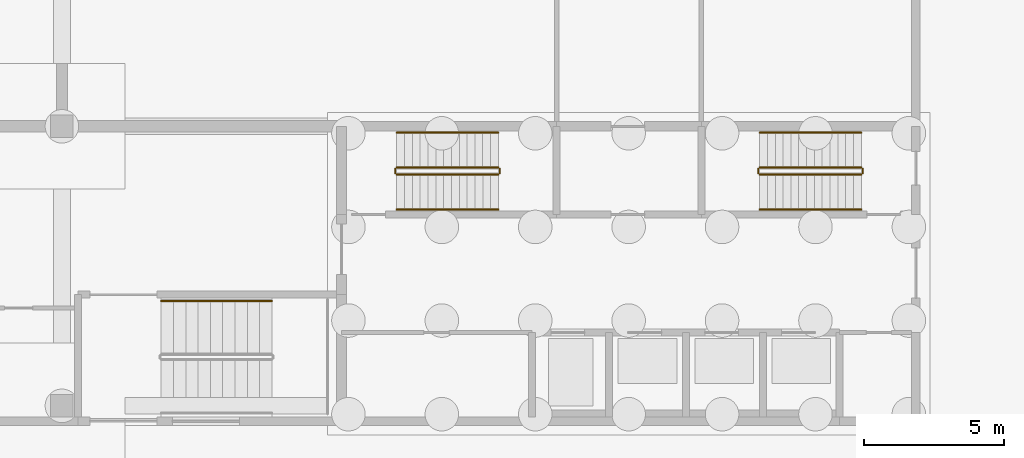
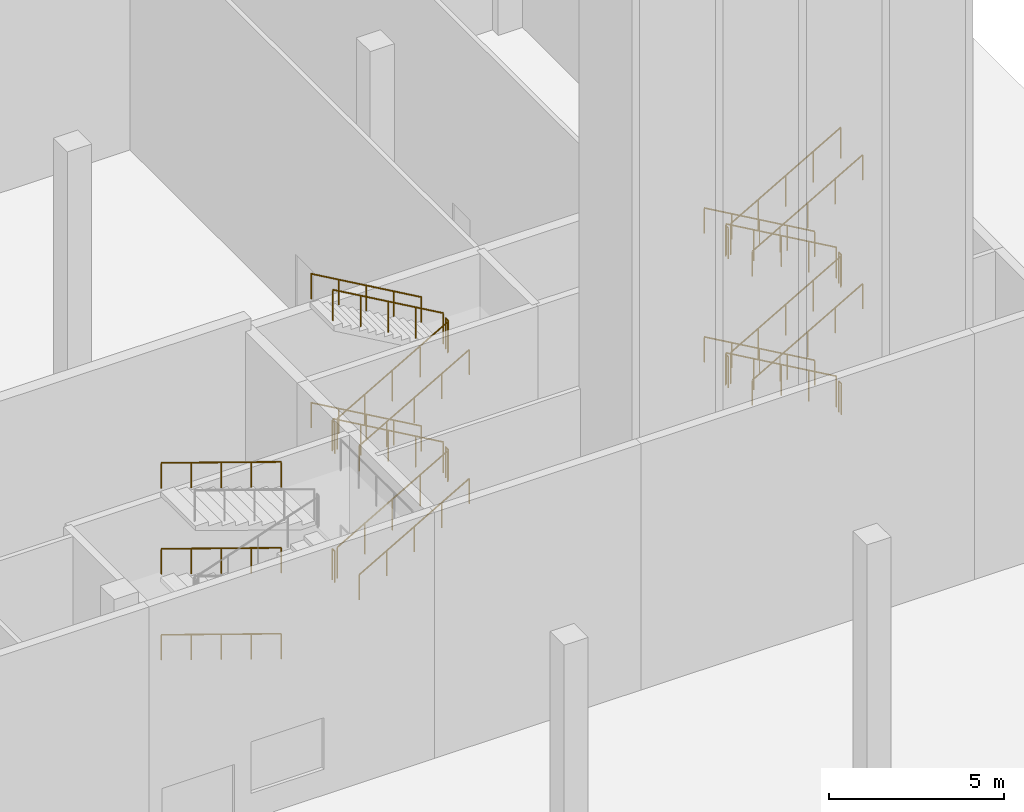
# One storey, part 56 of 63: 27 railings.
"""IFC4 building model written with IfcOpenShell, lengths in metres."""

from ifc_helpers import new_model, si_unit, direction, frame, origin, origin_2d, place, context, subcontext, project, spatial, circle, extrude, material, type_object, element, save


model = new_model("IFC4")

# Units and contexts
model_context = context("Model", 3, precision=1e-05, world=origin(), true_north=direction((0.0, 1.0)))
body_context = subcontext(model_context, "Body", "Model", "MODEL_VIEW")
ifc_project = project(units=[si_unit("LENGTHUNIT", "METRE"), si_unit("AREAUNIT", "SQUARE_METRE"), si_unit("VOLUMEUNIT", "CUBIC_METRE"), si_unit("PLANEANGLEUNIT", "RADIAN"), si_unit("MASSUNIT", "GRAM", prefix="KILO")], contexts=[model_context])

# Site, building, storey
site_placement = place(None, origin())
site = spatial("IfcSite", under=ifc_project, at=site_placement, CompositionType="ELEMENT")
building_placement = place(site_placement, origin())
building = spatial("IfcBuilding", under=site, at=building_placement, Name="Jabali Bay Hotel Tower and Convention Centre", CompositionType="ELEMENT")
storey_placement = place(building_placement, origin())
storey = spatial("IfcBuildingStorey", under=building, at=storey_placement, Name="L00", CompositionType="ELEMENT", Elevation=0.0)

# Railings
ifc_material = material(Name="Stainless steel 304", Category="steel")
railing_type_1 = type_object("IfcRailingType", Name="CC Stair Guard 1100", PredefinedType="GUARDRAIL", material=ifc_material)
railing_1_placement = place(storey_placement, frame((249.300048828125, 58.52490234375, 0.16064453125)))
element("IfcRailing", 1, at=railing_1_placement, inside=storey, type_object=railing_type_1, Name="L00 CC-STEA stair guard 1", PredefinedType="GUARDRAIL", context=body_context, shape_type="SweptSolid", body=[
    extrude(circle(Radius=0.02392578125, at=origin_2d()), frame((0.0, 0.0, 1.076171875), z_axis=(-0.867289372828, 0.0, 0.497804322781), x_axis=(0.0, -1.0, 0.0)), (0.0, 0.0, 1.0), 4.197021484375),
    extrude(circle(Radius=0.02099609375, at=origin_2d()), origin(), (0.0, 0.0, 1.0), 1.052001953125),
    extrude(circle(Radius=0.02099609375, at=origin_2d()), frame((-0.91015625, 0.0, 0.5224609375)), (0.0, 0.0, 1.0), 1.052001953125),
    extrude(circle(Radius=0.02099609375, at=origin_2d()), frame((-1.820068359375, 0.0, 1.044677734375)), (0.0, 0.0, 1.0), 1.052001953125),
    extrude(circle(Radius=0.02099609375, at=origin_2d()), frame((-2.72998046875, 0.0, 1.56689453125)), (0.0, 0.0, 1.0), 1.052001953125),
    extrude(circle(Radius=0.02099609375, at=origin_2d()), frame((-3.64013671875, 0.0, 2.08935546875)), (0.0, 0.0, 1.0), 1.052001953125),
])
railing_2_placement = place(storey_placement, frame((245.610107421875, 58.47509765625, 2.25)))
element("IfcRailing", 2, at=railing_2_placement, inside=storey, type_object=railing_type_1, Name="L00 CC-STEA stair guard 2", PredefinedType="GUARDRAIL", context=body_context, shape_type="SweptSolid", body=[
    extrude(circle(Radius=0.02392578125, at=origin_2d()), frame((0.0, 0.0, 1.076171875), z_axis=(0.0, -1.0, 0.0), x_axis=(1.0, 0.0, 0.0)), (0.0, 0.0, 1.0), 0.150146484375),
    extrude(circle(Radius=0.02099609375, at=origin_2d()), origin(), (0.0, 0.0, 1.0), 1.052001953125),
    extrude(circle(Radius=0.02099609375, at=origin_2d()), frame((0.0, -0.150146484375, 0.0)), (0.0, 0.0, 1.0), 1.052001953125),
])
railing_3_placement = place(storey_placement, frame((245.659912109375, 58.27490234375, 2.41064453125)))
element("IfcRailing", 3, at=railing_3_placement, inside=storey, type_object=railing_type_1, Name="L00 CC-STEA stair guard 3", PredefinedType="GUARDRAIL", context=body_context, shape_type="SweptSolid", body=[
    extrude(circle(Radius=0.02392578125, at=origin_2d()), frame((0.0, 0.0, 1.076171875), z_axis=(0.867289372828, 0.0, 0.497804322781), x_axis=(0.0, 1.0, 0.0)), (0.0, 0.0, 1.0), 4.197021484375),
    extrude(circle(Radius=0.02099609375, at=origin_2d()), origin(), (0.0, 0.0, 1.0), 1.052001953125),
    extrude(circle(Radius=0.02099609375, at=origin_2d()), frame((0.91015625, 0.0, 0.5224609375)), (0.0, 0.0, 1.0), 1.052001953125),
    extrude(circle(Radius=0.02099609375, at=origin_2d()), frame((1.820068359375, 0.0, 1.044677734375)), (0.0, 0.0, 1.0), 1.052001953125),
    extrude(circle(Radius=0.02099609375, at=origin_2d()), frame((2.72998046875, 0.0, 1.56689453125)), (0.0, 0.0, 1.0), 1.052001953125),
    extrude(circle(Radius=0.02099609375, at=origin_2d()), frame((3.64013671875, 0.0, 2.08935546875)), (0.0, 0.0, 1.0), 1.052001953125),
])
railing_4_placement = place(storey_placement, frame((249.35009765625, 58.47509765625, 4.5)))
element("IfcRailing", 4, at=railing_4_placement, inside=storey, type_object=railing_type_1, Name="L00 CC-STEA stair guard 4", PredefinedType="GUARDRAIL", context=body_context, shape_type="SweptSolid", body=[
    extrude(circle(Radius=0.02392578125, at=origin_2d()), frame((0.0, 0.0, 1.076171875), z_axis=(0.0, -1.0, 0.0), x_axis=(1.0, 0.0, 0.0)), (0.0, 0.0, 1.0), 0.150146484375),
    extrude(circle(Radius=0.02099609375, at=origin_2d()), origin(), (0.0, 0.0, 1.0), 1.052001953125),
    extrude(circle(Radius=0.02099609375, at=origin_2d()), frame((0.0, -0.150146484375, 0.0)), (0.0, 0.0, 1.0), 1.052001953125),
])
railing_5_placement = place(storey_placement, frame((249.300048828125, 58.52490234375, 4.66064453125)))
element("IfcRailing", 5, at=railing_5_placement, inside=storey, type_object=railing_type_1, Name="L00 CC-STEA stair guard 5", PredefinedType="GUARDRAIL", context=body_context, shape_type="SweptSolid", body=[
    extrude(circle(Radius=0.02392578125, at=origin_2d()), frame((0.0, 0.0, 1.076171875), z_axis=(-0.867289372828, 0.0, 0.497804322781), x_axis=(0.0, -1.0, 0.0)), (0.0, 0.0, 1.0), 4.197021484375),
    extrude(circle(Radius=0.02099609375, at=origin_2d()), origin(), (0.0, 0.0, 1.0), 1.052001953125),
    extrude(circle(Radius=0.02099609375, at=origin_2d()), frame((-0.91015625, 0.0, 0.5224609375)), (0.0, 0.0, 1.0), 1.052001953125),
    extrude(circle(Radius=0.02099609375, at=origin_2d()), frame((-1.820068359375, 0.0, 1.044677734375)), (0.0, 0.0, 1.0), 1.052001953125),
    extrude(circle(Radius=0.02099609375, at=origin_2d()), frame((-2.72998046875, 0.0, 1.56689453125)), (0.0, 0.0, 1.0), 1.052001953125),
    extrude(circle(Radius=0.02099609375, at=origin_2d()), frame((-3.64013671875, 0.0, 2.08935546875)), (0.0, 0.0, 1.0), 1.052001953125),
])
railing_6_placement = place(storey_placement, frame((245.610107421875, 58.47509765625, 6.75)))
element("IfcRailing", 6, at=railing_6_placement, inside=storey, type_object=railing_type_1, Name="L00 CC-STEA stair guard 6", PredefinedType="GUARDRAIL", context=body_context, shape_type="SweptSolid", body=[
    extrude(circle(Radius=0.02392578125, at=origin_2d()), frame((0.0, 0.0, 1.076171875), z_axis=(0.0, -1.0, 0.0), x_axis=(1.0, 0.0, 0.0)), (0.0, 0.0, 1.0), 0.150146484375),
    extrude(circle(Radius=0.02099609375, at=origin_2d()), origin(), (0.0, 0.0, 1.0), 1.052001953125),
    extrude(circle(Radius=0.02099609375, at=origin_2d()), frame((0.0, -0.150146484375, 0.0)), (0.0, 0.0, 1.0), 1.052001953125),
])
railing_7_placement = place(storey_placement, frame((245.659912109375, 58.27490234375, 6.91064453125)))
element("IfcRailing", 7, at=railing_7_placement, inside=storey, type_object=railing_type_1, Name="L00 CC-STEA stair guard 7", PredefinedType="GUARDRAIL", context=body_context, shape_type="SweptSolid", body=[
    extrude(circle(Radius=0.02392578125, at=origin_2d()), frame((0.0, 0.0, 1.076171875), z_axis=(0.867289372828, 0.0, 0.497804322781), x_axis=(0.0, 1.0, 0.0)), (0.0, 0.0, 1.0), 4.197021484375),
    extrude(circle(Radius=0.02099609375, at=origin_2d()), origin(), (0.0, 0.0, 1.0), 1.052001953125),
    extrude(circle(Radius=0.02099609375, at=origin_2d()), frame((0.91015625, 0.0, 0.5224609375)), (0.0, 0.0, 1.0), 1.052001953125),
    extrude(circle(Radius=0.02099609375, at=origin_2d()), frame((1.820068359375, 0.0, 1.044677734375)), (0.0, 0.0, 1.0), 1.052001953125),
    extrude(circle(Radius=0.02099609375, at=origin_2d()), frame((2.72998046875, 0.0, 1.56689453125)), (0.0, 0.0, 1.0), 1.052001953125),
    extrude(circle(Radius=0.02099609375, at=origin_2d()), frame((3.64013671875, 0.0, 2.08935546875)), (0.0, 0.0, 1.0), 1.052001953125),
])
railing_8_placement = place(storey_placement, frame((249.35009765625, 58.47509765625, 0.0)))
element("IfcRailing", 8, at=railing_8_placement, inside=storey, type_object=railing_type_1, Name="L00 CC-STEA stair guard 8", PredefinedType="GUARDRAIL", context=body_context, shape_type="SweptSolid", body=[
    extrude(circle(Radius=0.02392578125, at=origin_2d()), frame((0.0, 0.0, 1.076171875), z_axis=(0.0, -1.0, 0.0), x_axis=(1.0, 0.0, 0.0)), (0.0, 0.0, 1.0), 0.150146484375),
    extrude(circle(Radius=0.02099609375, at=origin_2d()), origin(), (0.0, 0.0, 1.0), 1.052001953125),
    extrude(circle(Radius=0.02099609375, at=origin_2d()), frame((0.0, -0.150146484375, 0.0)), (0.0, 0.0, 1.0), 1.052001953125),
])
railing_9_placement = place(storey_placement, frame((232.675048828125, 58.27490234375, 0.16064453125)))
element("IfcRailing", 9, at=railing_9_placement, inside=storey, type_object=railing_type_1, Name="L00 CC-STEB stair guard 1", PredefinedType="GUARDRAIL", context=body_context, shape_type="SweptSolid", body=[
    extrude(circle(Radius=0.02392578125, at=origin_2d()), frame((0.0, 0.0, 1.076171875), z_axis=(0.8672749571, 0.0, 0.497829437445), x_axis=(0.0, 1.0, 0.0)), (0.0, 0.0, 1.0), 4.197021484375),
    extrude(circle(Radius=0.02099609375, at=origin_2d()), origin(), (0.0, 0.0, 1.0), 1.052001953125),
    extrude(circle(Radius=0.02099609375, at=origin_2d()), frame((0.909912109375, 0.0, 0.5224609375)), (0.0, 0.0, 1.0), 1.052001953125),
    extrude(circle(Radius=0.02099609375, at=origin_2d()), frame((1.81982421875, 0.0, 1.044677734375)), (0.0, 0.0, 1.0), 1.052001953125),
    extrude(circle(Radius=0.02099609375, at=origin_2d()), frame((2.72998046875, 0.0, 1.56689453125)), (0.0, 0.0, 1.0), 1.052001953125),
    extrude(circle(Radius=0.02099609375, at=origin_2d()), frame((3.639892578125, 0.0, 2.08935546875)), (0.0, 0.0, 1.0), 1.052001953125),
])
railing_10_placement = place(storey_placement, frame((236.364990234375, 58.324951171875, 2.25)))
element("IfcRailing", 10, at=railing_10_placement, inside=storey, type_object=railing_type_1, Name="L00 CC-STEB stair guard 2", PredefinedType="GUARDRAIL", context=body_context, shape_type="SweptSolid", body=[
    extrude(circle(Radius=0.02392578125, at=origin_2d()), frame((0.0, 0.0, 1.076171875), z_axis=(0.0, 1.0, 0.0), x_axis=(-1.0, 0.0, 0.0)), (0.0, 0.0, 1.0), 0.150146484375),
    extrude(circle(Radius=0.02099609375, at=origin_2d()), origin(), (0.0, 0.0, 1.0), 1.052001953125),
    extrude(circle(Radius=0.02099609375, at=origin_2d()), frame((0.0, 0.150146484375, 0.0)), (0.0, 0.0, 1.0), 1.052001953125),
])
railing_11_placement = place(storey_placement, frame((236.31494140625, 58.52490234375, 2.41064453125)))
element("IfcRailing", 11, at=railing_11_placement, inside=storey, type_object=railing_type_1, Name="L00 CC-STEB stair guard 3", PredefinedType="GUARDRAIL", context=body_context, shape_type="SweptSolid", body=[
    extrude(circle(Radius=0.02392578125, at=origin_2d()), frame((0.0, 0.0, 1.076171875), z_axis=(-0.8672749571, 0.0, 0.497829437445), x_axis=(0.0, -1.0, 0.0)), (0.0, 0.0, 1.0), 4.197021484375),
    extrude(circle(Radius=0.02099609375, at=origin_2d()), origin(), (0.0, 0.0, 1.0), 1.052001953125),
    extrude(circle(Radius=0.02099609375, at=origin_2d()), frame((-0.909912109375, 0.0, 0.5224609375)), (0.0, 0.0, 1.0), 1.052001953125),
    extrude(circle(Radius=0.02099609375, at=origin_2d()), frame((-1.81982421875, 0.0, 1.044677734375)), (0.0, 0.0, 1.0), 1.052001953125),
    extrude(circle(Radius=0.02099609375, at=origin_2d()), frame((-2.72998046875, 0.0, 1.56689453125)), (0.0, 0.0, 1.0), 1.052001953125),
    extrude(circle(Radius=0.02099609375, at=origin_2d()), frame((-3.639892578125, 0.0, 2.08935546875)), (0.0, 0.0, 1.0), 1.052001953125),
])
railing_12_placement = place(storey_placement, frame((232.625, 58.324951171875, 4.5)))
element("IfcRailing", 12, at=railing_12_placement, inside=storey, type_object=railing_type_1, Name="L00 CC-STEB stair guard 4", PredefinedType="GUARDRAIL", context=body_context, shape_type="SweptSolid", body=[
    extrude(circle(Radius=0.02392578125, at=origin_2d()), frame((0.0, 0.0, 1.076171875), z_axis=(0.0, 1.0, 0.0), x_axis=(-1.0, 0.0, 0.0)), (0.0, 0.0, 1.0), 0.150146484375),
    extrude(circle(Radius=0.02099609375, at=origin_2d()), origin(), (0.0, 0.0, 1.0), 1.052001953125),
    extrude(circle(Radius=0.02099609375, at=origin_2d()), frame((0.0, 0.150146484375, 0.0)), (0.0, 0.0, 1.0), 1.052001953125),
])
railing_13_placement = place(storey_placement, frame((232.675048828125, 58.27490234375, 4.66064453125)))
element("IfcRailing", 13, at=railing_13_placement, inside=storey, type_object=railing_type_1, Name="L00 CC-STEB stair guard 5", PredefinedType="GUARDRAIL", context=body_context, shape_type="SweptSolid", body=[
    extrude(circle(Radius=0.02392578125, at=origin_2d()), frame((0.0, 0.0, 1.076171875), z_axis=(0.8672749571, 0.0, 0.497829437445), x_axis=(0.0, 1.0, 0.0)), (0.0, 0.0, 1.0), 4.197021484375),
    extrude(circle(Radius=0.02099609375, at=origin_2d()), origin(), (0.0, 0.0, 1.0), 1.052001953125),
    extrude(circle(Radius=0.02099609375, at=origin_2d()), frame((0.909912109375, 0.0, 0.5224609375)), (0.0, 0.0, 1.0), 1.052001953125),
    extrude(circle(Radius=0.02099609375, at=origin_2d()), frame((1.81982421875, 0.0, 1.044677734375)), (0.0, 0.0, 1.0), 1.052001953125),
    extrude(circle(Radius=0.02099609375, at=origin_2d()), frame((2.72998046875, 0.0, 1.56689453125)), (0.0, 0.0, 1.0), 1.052001953125),
    extrude(circle(Radius=0.02099609375, at=origin_2d()), frame((3.639892578125, 0.0, 2.08935546875)), (0.0, 0.0, 1.0), 1.052001953125),
])
railing_14_placement = place(storey_placement, frame((236.364990234375, 58.324951171875, 6.75)))
element("IfcRailing", 14, at=railing_14_placement, inside=storey, type_object=railing_type_1, Name="L00 CC-STEB stair guard 6", PredefinedType="GUARDRAIL", context=body_context, shape_type="SweptSolid", body=[
    extrude(circle(Radius=0.02392578125, at=origin_2d()), frame((0.0, 0.0, 1.076171875), z_axis=(0.0, 1.0, 0.0), x_axis=(-1.0, 0.0, 0.0)), (0.0, 0.0, 1.0), 0.150146484375),
    extrude(circle(Radius=0.02099609375, at=origin_2d()), origin(), (0.0, 0.0, 1.0), 1.052001953125),
    extrude(circle(Radius=0.02099609375, at=origin_2d()), frame((0.0, 0.150146484375, 0.0)), (0.0, 0.0, 1.0), 1.052001953125),
])
railing_15_placement = place(storey_placement, frame((236.31494140625, 58.52490234375, 6.91064453125)))
element("IfcRailing", 15, at=railing_15_placement, inside=storey, type_object=railing_type_1, Name="L00 CC-STEB stair guard 7", PredefinedType="GUARDRAIL", context=body_context, shape_type="SweptSolid", body=[
    extrude(circle(Radius=0.02392578125, at=origin_2d()), frame((0.0, 0.0, 1.076171875), z_axis=(-0.8672749571, 0.0, 0.497829437445), x_axis=(0.0, -1.0, 0.0)), (0.0, 0.0, 1.0), 4.197021484375),
    extrude(circle(Radius=0.02099609375, at=origin_2d()), origin(), (0.0, 0.0, 1.0), 1.052001953125),
    extrude(circle(Radius=0.02099609375, at=origin_2d()), frame((-0.909912109375, 0.0, 0.5224609375)), (0.0, 0.0, 1.0), 1.052001953125),
    extrude(circle(Radius=0.02099609375, at=origin_2d()), frame((-1.81982421875, 0.0, 1.044677734375)), (0.0, 0.0, 1.0), 1.052001953125),
    extrude(circle(Radius=0.02099609375, at=origin_2d()), frame((-2.72998046875, 0.0, 1.56689453125)), (0.0, 0.0, 1.0), 1.052001953125),
    extrude(circle(Radius=0.02099609375, at=origin_2d()), frame((-3.639892578125, 0.0, 2.08935546875)), (0.0, 0.0, 1.0), 1.052001953125),
])
railing_16_placement = place(storey_placement, frame((232.625, 58.324951171875, 0.0)))
element("IfcRailing", 16, at=railing_16_placement, inside=storey, type_object=railing_type_1, Name="L00 CC-STEB stair guard 8", PredefinedType="GUARDRAIL", context=body_context, shape_type="SweptSolid", body=[
    extrude(circle(Radius=0.02392578125, at=origin_2d()), frame((0.0, 0.0, 1.076171875), z_axis=(0.0, 1.0, 0.0), x_axis=(-1.0, 0.0, 0.0)), (0.0, 0.0, 1.0), 0.150146484375),
    extrude(circle(Radius=0.02099609375, at=origin_2d()), origin(), (0.0, 0.0, 1.0), 1.052001953125),
    extrude(circle(Radius=0.02099609375, at=origin_2d()), frame((0.0, 0.150146484375, 0.0)), (0.0, 0.0, 1.0), 1.052001953125),
])
railing_type_2 = type_object("IfcRailingType", Name="CC Stair Handrail 900", PredefinedType="HANDRAIL", material=ifc_material)
railing_17_placement = place(storey_placement, frame((249.300048828125, 59.77490234375, 0.16064453125)))
element("IfcRailing", 17, at=railing_17_placement, inside=storey, type_object=railing_type_2, Name="L00 CC-STEA stair handrail 1", PredefinedType="HANDRAIL", context=body_context, shape_type="SweptSolid", body=[
    extrude(circle(Radius=0.02392578125, at=origin_2d()), frame((0.0, 0.0, 0.8759765625), z_axis=(-0.867289372828, 0.0, 0.497804322781), x_axis=(0.0, -1.0, 0.0)), (0.0, 0.0, 1.0), 4.197021484375),
    extrude(circle(Radius=0.02099609375, at=origin_2d()), origin(), (0.0, 0.0, 1.0), 0.851806640625),
    extrude(circle(Radius=0.02099609375, at=origin_2d()), frame((-0.91015625, 0.0, 0.5224609375)), (0.0, 0.0, 1.0), 0.851806640625),
    extrude(circle(Radius=0.02099609375, at=origin_2d()), frame((-1.820068359375, 0.0, 1.044677734375)), (0.0, 0.0, 1.0), 0.851806640625),
    extrude(circle(Radius=0.02099609375, at=origin_2d()), frame((-2.72998046875, 0.0, 1.56689453125)), (0.0, 0.0, 1.0), 0.851806640625),
    extrude(circle(Radius=0.02099609375, at=origin_2d()), frame((-3.64013671875, 0.0, 2.08935546875)), (0.0, 0.0, 1.0), 0.851806640625),
])
railing_18_placement = place(storey_placement, frame((245.659912109375, 57.02490234375, 2.41064453125)))
element("IfcRailing", 18, at=railing_18_placement, inside=storey, type_object=railing_type_2, Name="L00 CC-STEA stair handrail 2", PredefinedType="HANDRAIL", context=body_context, shape_type="SweptSolid", body=[
    extrude(circle(Radius=0.02392578125, at=origin_2d()), frame((0.0, 0.0, 0.8759765625), z_axis=(0.867289372828, 0.0, 0.497804322781), x_axis=(0.0, 1.0, 0.0)), (0.0, 0.0, 1.0), 4.197021484375),
    extrude(circle(Radius=0.02099609375, at=origin_2d()), origin(), (0.0, 0.0, 1.0), 0.851806640625),
    extrude(circle(Radius=0.02099609375, at=origin_2d()), frame((0.91015625, 0.0, 0.5224609375)), (0.0, 0.0, 1.0), 0.851806640625),
    extrude(circle(Radius=0.02099609375, at=origin_2d()), frame((1.820068359375, 0.0, 1.044677734375)), (0.0, 0.0, 1.0), 0.851806640625),
    extrude(circle(Radius=0.02099609375, at=origin_2d()), frame((2.72998046875, 0.0, 1.56689453125)), (0.0, 0.0, 1.0), 0.851806640625),
    extrude(circle(Radius=0.02099609375, at=origin_2d()), frame((3.64013671875, 0.0, 2.08935546875)), (0.0, 0.0, 1.0), 0.851806640625),
])
railing_19_placement = place(storey_placement, frame((249.300048828125, 59.77490234375, 4.66064453125)))
element("IfcRailing", 19, at=railing_19_placement, inside=storey, type_object=railing_type_2, Name="L00 CC-STEA stair handrail 3", PredefinedType="HANDRAIL", context=body_context, shape_type="SweptSolid", body=[
    extrude(circle(Radius=0.02392578125, at=origin_2d()), frame((0.0, 0.0, 0.8759765625), z_axis=(-0.867289372828, 0.0, 0.497804322781), x_axis=(0.0, -1.0, 0.0)), (0.0, 0.0, 1.0), 4.197021484375),
    extrude(circle(Radius=0.02099609375, at=origin_2d()), origin(), (0.0, 0.0, 1.0), 0.851806640625),
    extrude(circle(Radius=0.02099609375, at=origin_2d()), frame((-0.91015625, 0.0, 0.5224609375)), (0.0, 0.0, 1.0), 0.851806640625),
    extrude(circle(Radius=0.02099609375, at=origin_2d()), frame((-1.820068359375, 0.0, 1.044677734375)), (0.0, 0.0, 1.0), 0.851806640625),
    extrude(circle(Radius=0.02099609375, at=origin_2d()), frame((-2.72998046875, 0.0, 1.56689453125)), (0.0, 0.0, 1.0), 0.851806640625),
    extrude(circle(Radius=0.02099609375, at=origin_2d()), frame((-3.64013671875, 0.0, 2.08935546875)), (0.0, 0.0, 1.0), 0.851806640625),
])
railing_20_placement = place(storey_placement, frame((245.659912109375, 57.02490234375, 6.91064453125)))
element("IfcRailing", 20, at=railing_20_placement, inside=storey, type_object=railing_type_2, Name="L00 CC-STEA stair handrail 4", PredefinedType="HANDRAIL", context=body_context, shape_type="SweptSolid", body=[
    extrude(circle(Radius=0.02392578125, at=origin_2d()), frame((0.0, 0.0, 0.8759765625), z_axis=(0.867289372828, 0.0, 0.497804322781), x_axis=(0.0, 1.0, 0.0)), (0.0, 0.0, 1.0), 4.197021484375),
    extrude(circle(Radius=0.02099609375, at=origin_2d()), origin(), (0.0, 0.0, 1.0), 0.851806640625),
    extrude(circle(Radius=0.02099609375, at=origin_2d()), frame((0.91015625, 0.0, 0.5224609375)), (0.0, 0.0, 1.0), 0.851806640625),
    extrude(circle(Radius=0.02099609375, at=origin_2d()), frame((1.820068359375, 0.0, 1.044677734375)), (0.0, 0.0, 1.0), 0.851806640625),
    extrude(circle(Radius=0.02099609375, at=origin_2d()), frame((2.72998046875, 0.0, 1.56689453125)), (0.0, 0.0, 1.0), 0.851806640625),
    extrude(circle(Radius=0.02099609375, at=origin_2d()), frame((3.64013671875, 0.0, 2.08935546875)), (0.0, 0.0, 1.0), 0.851806640625),
])
railing_21_placement = place(storey_placement, frame((232.675048828125, 57.02490234375, 0.16064453125)))
element("IfcRailing", 21, at=railing_21_placement, inside=storey, type_object=railing_type_2, Name="L00 CC-STEB stair handrail 1", PredefinedType="HANDRAIL", context=body_context, shape_type="SweptSolid", body=[
    extrude(circle(Radius=0.02392578125, at=origin_2d()), frame((0.0, 0.0, 0.8759765625), z_axis=(0.8672749571, 0.0, 0.497829437445), x_axis=(0.0, 1.0, 0.0)), (0.0, 0.0, 1.0), 4.197021484375),
    extrude(circle(Radius=0.02099609375, at=origin_2d()), origin(), (0.0, 0.0, 1.0), 0.851806640625),
    extrude(circle(Radius=0.02099609375, at=origin_2d()), frame((0.909912109375, 0.0, 0.5224609375)), (0.0, 0.0, 1.0), 0.851806640625),
    extrude(circle(Radius=0.02099609375, at=origin_2d()), frame((1.81982421875, 0.0, 1.044677734375)), (0.0, 0.0, 1.0), 0.851806640625),
    extrude(circle(Radius=0.02099609375, at=origin_2d()), frame((2.72998046875, 0.0, 1.56689453125)), (0.0, 0.0, 1.0), 0.851806640625),
    extrude(circle(Radius=0.02099609375, at=origin_2d()), frame((3.639892578125, 0.0, 2.08935546875)), (0.0, 0.0, 1.0), 0.851806640625),
])
railing_22_placement = place(storey_placement, frame((236.31494140625, 59.77490234375, 2.41064453125)))
element("IfcRailing", 22, at=railing_22_placement, inside=storey, type_object=railing_type_2, Name="L00 CC-STEB stair handrail 2", PredefinedType="HANDRAIL", context=body_context, shape_type="SweptSolid", body=[
    extrude(circle(Radius=0.02392578125, at=origin_2d()), frame((0.0, 0.0, 0.8759765625), z_axis=(-0.8672749571, 0.0, 0.497829437445), x_axis=(0.0, -1.0, 0.0)), (0.0, 0.0, 1.0), 4.197021484375),
    extrude(circle(Radius=0.02099609375, at=origin_2d()), origin(), (0.0, 0.0, 1.0), 0.851806640625),
    extrude(circle(Radius=0.02099609375, at=origin_2d()), frame((-0.909912109375, 0.0, 0.5224609375)), (0.0, 0.0, 1.0), 0.851806640625),
    extrude(circle(Radius=0.02099609375, at=origin_2d()), frame((-1.81982421875, 0.0, 1.044677734375)), (0.0, 0.0, 1.0), 0.851806640625),
    extrude(circle(Radius=0.02099609375, at=origin_2d()), frame((-2.72998046875, 0.0, 1.56689453125)), (0.0, 0.0, 1.0), 0.851806640625),
    extrude(circle(Radius=0.02099609375, at=origin_2d()), frame((-3.639892578125, 0.0, 2.08935546875)), (0.0, 0.0, 1.0), 0.851806640625),
])
railing_23_placement = place(storey_placement, frame((232.675048828125, 57.02490234375, 4.66064453125)))
element("IfcRailing", 23, at=railing_23_placement, inside=storey, type_object=railing_type_2, Name="L00 CC-STEB stair handrail 3", PredefinedType="HANDRAIL", context=body_context, shape_type="SweptSolid", body=[
    extrude(circle(Radius=0.02392578125, at=origin_2d()), frame((0.0, 0.0, 0.8759765625), z_axis=(0.8672749571, 0.0, 0.497829437445), x_axis=(0.0, 1.0, 0.0)), (0.0, 0.0, 1.0), 4.197021484375),
    extrude(circle(Radius=0.02099609375, at=origin_2d()), origin(), (0.0, 0.0, 1.0), 0.851806640625),
    extrude(circle(Radius=0.02099609375, at=origin_2d()), frame((0.909912109375, 0.0, 0.5224609375)), (0.0, 0.0, 1.0), 0.851806640625),
    extrude(circle(Radius=0.02099609375, at=origin_2d()), frame((1.81982421875, 0.0, 1.044677734375)), (0.0, 0.0, 1.0), 0.851806640625),
    extrude(circle(Radius=0.02099609375, at=origin_2d()), frame((2.72998046875, 0.0, 1.56689453125)), (0.0, 0.0, 1.0), 0.851806640625),
    extrude(circle(Radius=0.02099609375, at=origin_2d()), frame((3.639892578125, 0.0, 2.08935546875)), (0.0, 0.0, 1.0), 0.851806640625),
])
railing_24_placement = place(storey_placement, frame((236.31494140625, 59.77490234375, 6.91064453125)))
element("IfcRailing", 24, at=railing_24_placement, inside=storey, type_object=railing_type_2, Name="L00 CC-STEB stair handrail 4", PredefinedType="HANDRAIL", context=body_context, shape_type="SweptSolid", body=[
    extrude(circle(Radius=0.02392578125, at=origin_2d()), frame((0.0, 0.0, 0.8759765625), z_axis=(-0.8672749571, 0.0, 0.497829437445), x_axis=(0.0, -1.0, 0.0)), (0.0, 0.0, 1.0), 4.197021484375),
    extrude(circle(Radius=0.02099609375, at=origin_2d()), origin(), (0.0, 0.0, 1.0), 0.851806640625),
    extrude(circle(Radius=0.02099609375, at=origin_2d()), frame((-0.909912109375, 0.0, 0.5224609375)), (0.0, 0.0, 1.0), 0.851806640625),
    extrude(circle(Radius=0.02099609375, at=origin_2d()), frame((-1.81982421875, 0.0, 1.044677734375)), (0.0, 0.0, 1.0), 0.851806640625),
    extrude(circle(Radius=0.02099609375, at=origin_2d()), frame((-2.72998046875, 0.0, 1.56689453125)), (0.0, 0.0, 1.0), 0.851806640625),
    extrude(circle(Radius=0.02099609375, at=origin_2d()), frame((-3.639892578125, 0.0, 2.08935546875)), (0.0, 0.0, 1.0), 0.851806640625),
])
for number, where, name in (
    (25, (228.2099609375, 53.75, 1.64990234375), "L00 CC-STS3 stair handrail 2"),
    (26, (228.2099609375, 53.75, 4.64990234375), "L00 CC-STS3 stair handrail 4"),
    (27, (228.2099609375, 53.75, 7.64990234375), "L00 CC-STS3 stair handrail 6"),
):
    element("IfcRailing", number, at=place(storey_placement, frame(where)), inside=storey, type_object=railing_type_2, Name=name, PredefinedType="HANDRAIL", context=body_context, shape_type="SweptSolid", body=[
        extrude(circle(Radius=0.02392578125, at=origin_2d()), frame((0.0, 0.0, 0.8759765625), z_axis=(-0.946502086907, 0.0, 0.322697690542), x_axis=(0.0, -1.0, 0.0)), (0.0, 0.0, 1.0), 4.183837890625),
        extrude(circle(Radius=0.02099609375, at=origin_2d()), origin(), (0.0, 0.0, 1.0), 0.851806640625),
        extrude(circle(Radius=0.02099609375, at=origin_2d()), frame((-0.989990234375, 0.0, 0.33740234375)), (0.0, 0.0, 1.0), 0.851806640625),
        extrude(circle(Radius=0.02099609375, at=origin_2d()), frame((-1.97998046875, 0.0, 0.675048828125)), (0.0, 0.0, 1.0), 0.851806640625),
        extrude(circle(Radius=0.02099609375, at=origin_2d()), frame((-2.969970703125, 0.0, 1.0126953125)), (0.0, 0.0, 1.0), 0.851806640625),
        extrude(circle(Radius=0.02099609375, at=origin_2d()), frame((-3.9599609375, 0.0, 1.35009765625)), (0.0, 0.0, 1.0), 0.851806640625),
    ])

save(model, "model.ifc")
